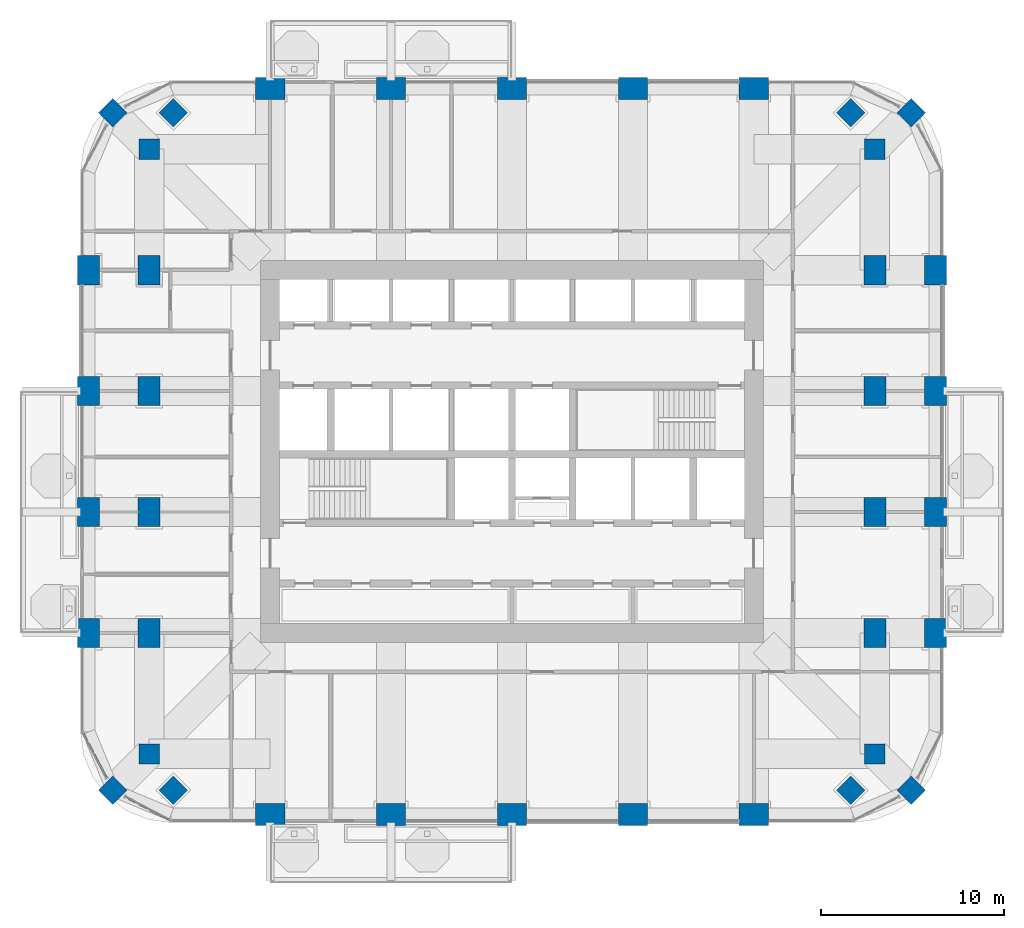
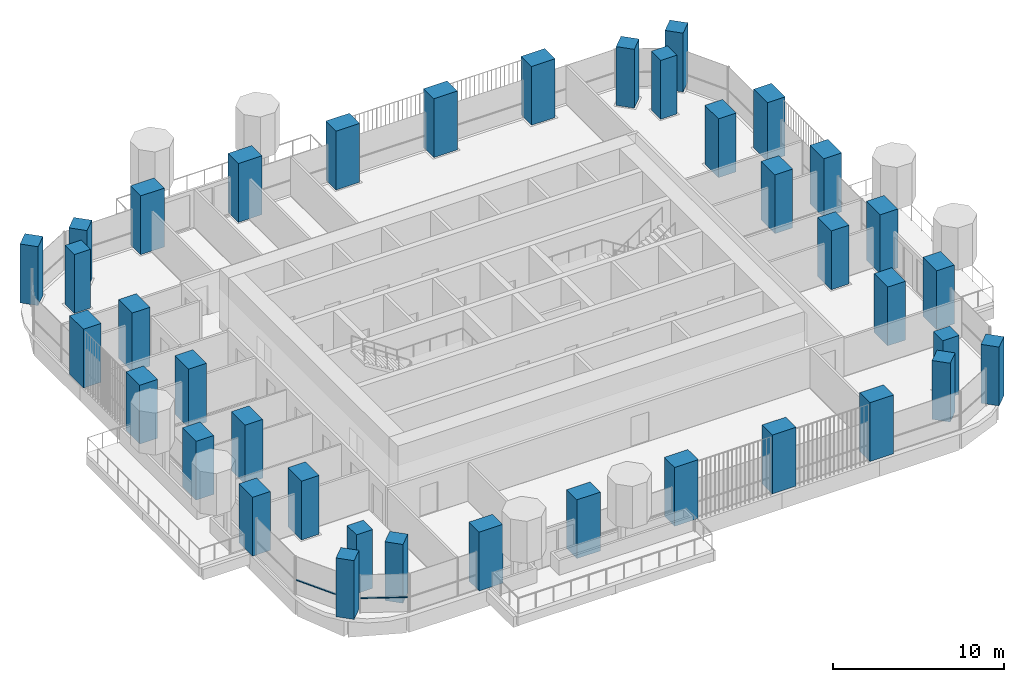
# One storey, part 1 of 20: 38 columns, 2 members, 2 elements without a shape of their own.
"""IFC4 building model written with IfcOpenShell, lengths in metres."""

import ifcopenshell
import ifcopenshell.guid

model = None  # the IFC model being written
_history = None  # IfcOwnerHistory: only IFC2X3 demands one
_inside = {}  # id of a spatial element -> (the spatial element, [elements in it])
_under = {}  # id of a project, library or spatial element -> (it, [spatial elements below it])
_declared = {}  # id of a project -> (the project, [libraries it declares])
_typed = {}  # id of a type object -> (the type object, [elements of that type])
_made_of = {}  # id of a material, layer set ... -> (it, [elements and type objects made of it])


def new_model(schema):
    """Start an empty IFC model of exactly this schema.

    Asked for "IFC4X3", IfcOpenShell would pick the latest addendum, in which some entities
    have other attributes; the version numbers below select the first issue.
    IFC2X3 requires an IfcOwnerHistory on every rooted entity: one is made here for all.
    """
    global model, _history
    if schema == "IFC4X3":
        model = ifcopenshell.file(schema_version=(4, 3, 0, 0))
    else:
        model = ifcopenshell.file(schema=schema)
    _inside.clear()
    _under.clear()
    _declared.clear()
    _typed.clear()
    _made_of.clear()
    _history = None
    if model.schema == "IFC2X3":
        org = make("IfcOrganization", Name="unknown")
        user = make(
            "IfcPersonAndOrganization",
            ThePerson=make("IfcPerson", FamilyName="unknown"),
            TheOrganization=org,
        )
        app = make(
            "IfcApplication",
            ApplicationDeveloper=org,
            Version="unknown",
            ApplicationFullName="unknown",
            ApplicationIdentifier="unknown",
        )
        _history = make(
            "IfcOwnerHistory",
            OwningUser=user,
            OwningApplication=app,
            ChangeAction="ADDED",
            CreationDate=0,
        )
    return model


def make(cls, **values):
    """One entity of the class cls with the attributes given. An attribute that is None is left unset."""
    return model.create_entity(
        cls, **{name: value for name, value in values.items() if value is not None}
    )


def rooted(cls, **values):
    """An entity with a GlobalId (a new one), such as an element, a storey or a relation."""
    return make(cls, GlobalId=ifcopenshell.guid.new(), OwnerHistory=_history, **values)


def si_unit(unit_type, name, prefix=None):
    """IfcSIUnit, for example si_unit("LENGTHUNIT", "METRE", prefix="MILLI")."""
    return make("IfcSIUnit", UnitType=unit_type, Prefix=prefix, Name=name)


def assignment(units):
    """IfcUnitAssignment: the units of a project."""
    return None if units is None else make("IfcUnitAssignment", Units=units)


def point(xyz):
    """IfcCartesianPoint."""
    return None if xyz is None else make("IfcCartesianPoint", Coordinates=xyz)


def direction(xyz):
    """IfcDirection."""
    return None if xyz is None else make("IfcDirection", DirectionRatios=xyz)


def frame(location, z_axis=None, x_axis=None):
    """IfcAxis2Placement3D, a coordinate frame: its origin and axes. An axis left out is left unset."""
    return make(
        "IfcAxis2Placement3D",
        Location=point(location),
        Axis=direction(z_axis),
        RefDirection=direction(x_axis),
    )


def frame_2d(location, x_axis=None):
    """IfcAxis2Placement2D, a coordinate frame in the plane: its origin and x axis."""
    return make(
        "IfcAxis2Placement2D", Location=point(location), RefDirection=direction(x_axis)
    )


def origin():
    """The frame at (0, 0, 0) with its axes left unset."""
    return frame((0.0, 0.0, 0.0))


def origin_2d():
    """The frame at (0, 0) in the plane with its x axis left unset."""
    return frame_2d((0.0, 0.0))


def place(relative_to, where):
    """IfcLocalPlacement: puts the frame where relative to a parent placement (None: the world)."""
    return make(
        "IfcLocalPlacement", PlacementRelTo=relative_to, RelativePlacement=where
    )


def context(
    kind, dimensions, precision=None, world=None, true_north=None, identifier=None
):
    """IfcGeometricRepresentationContext, for example the 3D "Model" context."""
    return make(
        "IfcGeometricRepresentationContext",
        ContextIdentifier=identifier,
        ContextType=kind,
        CoordinateSpaceDimension=dimensions,
        Precision=precision,
        WorldCoordinateSystem=world,
        TrueNorth=true_north,
    )


def subcontext(parent, identifier, kind, view, scale=None):
    """IfcGeometricRepresentationSubContext, for example "Body" below "Model"."""
    return make(
        "IfcGeometricRepresentationSubContext",
        ContextIdentifier=identifier,
        ContextType=kind,
        ParentContext=parent,
        TargetScale=scale,
        TargetView=view,
    )


def project(units=None, contexts=None):
    """IfcProject with its units and contexts."""
    return rooted(
        "IfcProject",
        Name="project",
        RepresentationContexts=contexts,
        UnitsInContext=assignment(units),
    )


def spatial(cls, under=None, at=None, **own):
    """A site, building, storey or space (cls), placed at a placement, below another one or the project."""
    s = rooted(cls, ObjectPlacement=at, **own)
    if under is not None:
        _under.setdefault(under.id(), (under, []))[1].append(s)
    return s


def profile(cls, at=None, kind="AREA", **sizes):
    """A parametric profile (cls). Its sizes go by their IFC names, for example OverallWidth=200.0."""
    return make(cls, ProfileType=kind, Position=at, **sizes)


def rectangle(**sizes):
    """IfcRectangleProfileDef."""
    return profile("IfcRectangleProfileDef", **sizes)


def extrude(swept, where, along, depth):
    """IfcExtrudedAreaSolid: the profile swept, set in the frame where, extruded along a direction by depth."""
    return make(
        "IfcExtrudedAreaSolid",
        SweptArea=swept,
        Position=where,
        ExtrudedDirection=direction(along),
        Depth=depth,
    )


def shape(context_of_items, identifier, shape_type, items):
    """IfcShapeRepresentation: the items that make up one representation, for example the "Body"."""
    return make(
        "IfcShapeRepresentation",
        ContextOfItems=context_of_items,
        RepresentationIdentifier=identifier,
        RepresentationType=shape_type,
        Items=items,
    )


def material(Name=None, Category=None):
    """IfcMaterial."""
    return make("IfcMaterial", Name=Name, Category=Category)


def material_profile(
    of_material, cross_section, Name=None, Category=None, Priority=None
):
    """IfcMaterialProfile: a cross section and its material."""
    return make(
        "IfcMaterialProfile",
        Name=Name,
        Material=of_material,
        Profile=cross_section,
        Priority=Priority,
        Category=Category,
    )


def profile_set(profiles, Name=None, composite=None):
    """IfcMaterialProfileSet."""
    return make(
        "IfcMaterialProfileSet",
        Name=Name,
        MaterialProfiles=profiles,
        CompositeProfile=composite,
    )


def made_of(thing, what):
    """Note that an element or type object is made of a material, layer set ...; save() writes the relation."""
    if what is not None:
        _made_of.setdefault(what.id(), (what, []))[1].append(thing)
    return thing


def type_object(cls, material=None, **own):
    """A type object (cls), such as IfcWallType, which elements share."""
    return made_of(rooted(cls, **own), material)


def element(
    cls,
    number,
    at=None,
    inside=None,
    cuts=None,
    type_object=None,
    material=None,
    context=None,
    identifier="Body",
    shape_type=None,
    held_by="IfcProductDefinitionShape",
    body=None,
    shapes=None,
    **own,
):
    """One element of the class cls, such as IfcWall. Its Tag is "e" and its number.

    at: its placement. inside: the storey or other place that contains it. cuts: it is an
    opening in that element (IfcRelVoidsElement). A single representation is given by context,
    identifier, shape_type and body (its items); several are given by shapes. held_by: the class
    of the entity that holds the representations. save() writes the other relations.
    """
    e = rooted(cls, Tag="e%d" % number, ObjectPlacement=at, **own)
    if body is not None:
        shapes = [shape(context, identifier, shape_type, body)]
    if shapes is not None:
        e.Representation = make(held_by, Representations=shapes)
    if inside is not None:
        _inside.setdefault(inside.id(), (inside, []))[1].append(e)
    if cuts is not None:
        rooted(
            "IfcRelVoidsElement", RelatingBuildingElement=cuts, RelatedOpeningElement=e
        )
    if type_object is not None:
        _typed.setdefault(type_object.id(), (type_object, []))[1].append(e)
    return made_of(e, material)


def aggregate(whole, parts):
    """IfcRelAggregates: a whole, such as a stair, and the parts it consists of."""
    return rooted("IfcRelAggregates", RelatingObject=whole, RelatedObjects=parts)


def save(model, path):
    """Write the relations noted so far, then the file.

    IfcRelAggregates (storeys below a building ...), IfcRelContainedInSpatialStructure (elements
    in a storey), IfcRelDefinesByType, IfcRelAssociatesMaterial and IfcRelDeclares: one each for
    every whole, place, type object, material and project.
    """
    for whole, parts in _under.values():
        aggregate(whole, parts)
    for where, things in _inside.values():
        rooted(
            "IfcRelContainedInSpatialStructure",
            RelatedElements=things,
            RelatingStructure=where,
        )
    for kind, things in _typed.values():
        rooted("IfcRelDefinesByType", RelatedObjects=things, RelatingType=kind)
    for what, things in _made_of.values():
        rooted("IfcRelAssociatesMaterial", RelatedObjects=things, RelatingMaterial=what)
    for by, libraries in _declared.values():
        rooted("IfcRelDeclares", RelatingContext=by, RelatedDefinitions=libraries)
    model.write(path)


model = new_model("IFC4")

# Units and contexts
model_context = context("Model", 3, precision=1e-05, world=origin(), true_north=direction((0.0, 1.0)))
body_context = subcontext(model_context, "Body", "Model", "MODEL_VIEW")
ifc_project = project(units=[si_unit("LENGTHUNIT", "METRE"), si_unit("AREAUNIT", "SQUARE_METRE"), si_unit("VOLUMEUNIT", "CUBIC_METRE"), si_unit("PLANEANGLEUNIT", "RADIAN"), si_unit("MASSUNIT", "GRAM", prefix="KILO")], contexts=[model_context])

# Site, building, storey
site_placement = place(None, origin())
site = spatial("IfcSite", under=ifc_project, at=site_placement, CompositionType="ELEMENT")
building_placement = place(site_placement, origin())
building = spatial("IfcBuilding", under=site, at=building_placement, Name="Cobogo Forest Laboratory Tower", CompositionType="ELEMENT")
storey_placement = place(building_placement, frame((0.0, 0.0, 201.89990234375)))
storey = spatial("IfcBuildingStorey", under=building, at=storey_placement, Name="L46", CompositionType="ELEMENT", Elevation=201.89990234375)

# Columns
ifc_material_1 = material(Name="Concrete HA-50 (C50/60)", Category="concrete")
ifc_material_profile_1 = material_profile(ifc_material_1, rectangle(XDim=1.60009765625, YDim=1.199951171875, at=origin_2d()), Name="RC 1200x1600")
ifc_profile_set_1 = profile_set([ifc_material_profile_1], Name="Concrete HA-50 (C50/60)")
column_type_1 = type_object("IfcColumnType", Name="Blade column 1200x1600", PredefinedType="COLUMN", material=ifc_profile_set_1)
for number, where, z_axis, x_axis, name in (
    (1, (13.199951171875, 3.300048828125, 0.0), (0.0, 0.0, 1.0), (1.0, 0.0, 0.0), "Column 3-A.1 L46"),
    (2, (19.800048828125, 3.300048828125, 0.0), (0.0, 0.0, 1.0), (1.0, 0.0, 0.0), "Column 4-A.1 L46"),
    (3, (26.39990234375, 3.300048828125, 0.0), (0.0, 0.0, 1.0), (1.0, 0.0, 0.0), "Column 5-A.1 L46"),
    (4, (33.0, 3.300048828125, 0.0), (0.0, 0.0, 1.0), (1.0, 0.0, 0.0), "Column 6-A.1 L46"),
    (5, (39.60009765625, 3.300048828125, 0.0), (0.0, 0.0, 1.0), (1.0, 0.0, 0.0), "Column 7-A.1 L46"),
    (6, (3.300048828125, 13.199951171875, 0.0), (0.0, 0.0, 1.0), (0.0, 1.0, 0.0), "Column 1.1-C L46"),
    (7, (49.5, 13.199951171875, 0.0), (0.0, 0.0, 1.0), (0.0, 1.0, 0.0), "Column 8.1-C L46"),
    (8, (3.300048828125, 19.800048828125, 0.0), (0.0, 0.0, 1.0), (0.0, 1.0, 0.0), "Column 1.1-D L46"),
    (9, (49.5, 19.800048828125, 0.0), (0.0, 0.0, 1.0), (0.0, 1.0, 0.0), "Column 8.1-D L46"),
    (10, (3.300048828125, 26.39990234375, 0.0), (0.0, 0.0, 1.0), (0.0, 1.0, 0.0), "Column 1.1-E L46"),
    (11, (49.5, 26.39990234375, 0.0), (0.0, 0.0, 1.0), (0.0, 1.0, 0.0), "Column 8.1-E L46"),
    (12, (3.300048828125, 33.0, 0.0), (0.0, 0.0, 1.0), (0.0, 1.0, 0.0), "Column 1.1-F L46"),
    (13, (49.5, 33.0, 0.0), (0.0, 0.0, 1.0), (0.0, 1.0, 0.0), "Column 8.1-F L46"),
    (14, (13.199951171875, 42.89990234375, 0.0), (0.0, 0.0, 1.0), (1.0, 0.0, 0.0), "Column 3-G.1 L46"),
    (15, (19.800048828125, 42.89990234375, 0.0), (0.0, 0.0, 1.0), (1.0, 0.0, 0.0), "Column 4-G.1 L46"),
    (16, (26.39990234375, 42.89990234375, 0.0), (0.0, 0.0, 1.0), (1.0, 0.0, 0.0), "Column 5-G.1 L46"),
    (17, (33.0, 42.89990234375, 0.0), (0.0, 0.0, 1.0), (1.0, 0.0, 0.0), "Column 6-G.1 L46"),
    (18, (39.60009765625, 42.89990234375, 0.0), (0.0, 0.0, 1.0), (1.0, 0.0, 0.0), "Column 7-G.1 L46"),
    (19, (6.60009765625, 13.199951171875, 0.0), (0.0, 0.0, 1.0), (0.0, 1.0, 0.0), "Column 2-C-D L46"),
    (20, (46.199951171875, 13.199951171875, 0.0), (0.0, 0.0, 1.0), (0.0, 1.0, 0.0), "Column 8-C-D L46"),
    (21, (6.60009765625, 19.800048828125, 0.0), (0.0, 0.0, 1.0), (0.0, 1.0, 0.0), "Column 2-D-D L46"),
    (22, (46.199951171875, 19.800048828125, 0.0), (0.0, 0.0, 1.0), (0.0, 1.0, 0.0), "Column 8-D-D L46"),
    (23, (6.60009765625, 26.39990234375, 0.0), (0.0, 0.0, 1.0), (0.0, 1.0, 0.0), "Column 2-E-D L46"),
    (24, (46.199951171875, 26.39990234375, 0.0), (0.0, 0.0, 1.0), (0.0, 1.0, 0.0), "Column 8-E-D L46"),
    (25, (6.60009765625, 33.0, 0.0), (0.0, 0.0, 1.0), (0.0, 1.0, 0.0), "Column 2-F-D L46"),
    (26, (46.199951171875, 33.0, 0.0), (0.0, 0.0, 1.0), (0.0, 1.0, 0.0), "Column 8-F-D L46"),
):
    element("IfcColumn", number, at=place(storey_placement, frame(where, z_axis=z_axis, x_axis=x_axis)), inside=storey, type_object=column_type_1, Name=name, PredefinedType="COLUMN", context=body_context, shape_type="SweptSolid", body=[
        extrude(rectangle(XDim=1.60009765625, YDim=1.199951171875, at=origin_2d()), origin(), (0.0, 0.0, 1.0), 4.2001953125),
    ])
ifc_material_profile_2 = material_profile(ifc_material_1, rectangle(XDim=1.10009765625, YDim=1.10009765625, at=origin_2d()), Name="RC 1100x1100")
ifc_profile_set_2 = profile_set([ifc_material_profile_2], Name="Concrete HA-50 (C50/60)")
column_type_2 = type_object("IfcColumnType", Name="Column 1100x1100", PredefinedType="COLUMN", material=ifc_profile_set_2)
for number, where, z_axis, x_axis, name in (
    (27, (4.617919921875, 4.617919921875, 0.0), (0.0, 0.0, 1.0), (0.707106781187, 0.707106781187, 0.0), "Column CNR-SW L46"),
    (28, (48.181884765625, 4.617919921875, 0.0), (0.0, 0.0, 1.0), (0.707106781187, 0.707106781187, 0.0), "Column CNR-SE L46"),
    (29, (4.617919921875, 41.58203125, 0.0), (0.0, 0.0, 1.0), (0.707106781187, 0.707106781187, 0.0), "Column CNR-NW L46"),
    (30, (48.181884765625, 41.58203125, 0.0), (0.0, 0.0, 1.0), (0.707106781187, 0.707106781187, 0.0), "Column CNR-NE L46"),
    (31, (6.60009765625, 6.60009765625, 0.0), (0.0, 0.0, 1.0), (1.0, 0.0, 0.0), "Column 2-B L46"),
    (32, (46.199951171875, 6.60009765625, 0.0), (0.0, 0.0, 1.0), (1.0, 0.0, 0.0), "Column 8-B L46"),
    (33, (6.60009765625, 39.60009765625, 0.0), (0.0, 0.0, 1.0), (1.0, 0.0, 0.0), "Column 2-G L46"),
    (34, (46.199951171875, 39.60009765625, 0.0), (0.0, 0.0, 1.0), (1.0, 0.0, 0.0), "Column 8-G L46"),
    (35, (7.91796875, 4.617919921875, 0.0), (0.0, 0.0, 1.0), (0.707106781187, 0.707106781187, 0.0), "Column CNR-SW-D L46"),
    (36, (44.882080078125, 4.617919921875, 0.0), (0.0, 0.0, 1.0), (0.707106781187, 0.707106781187, 0.0), "Column CNR-SE-D L46"),
    (37, (7.91796875, 41.58203125, 0.0), (0.0, 0.0, 1.0), (0.707106781187, 0.707106781187, 0.0), "Column CNR-NW-D L46"),
    (38, (44.882080078125, 41.58203125, 0.0), (0.0, 0.0, 1.0), (0.707106781187, 0.707106781187, 0.0), "Column CNR-NE-D L46"),
):
    element("IfcColumn", number, at=place(storey_placement, frame(where, z_axis=z_axis, x_axis=x_axis)), inside=storey, type_object=column_type_2, Name=name, PredefinedType="COLUMN", context=body_context, shape_type="SweptSolid", body=[
        extrude(rectangle(XDim=1.10009765625, YDim=1.10009765625, at=origin_2d()), origin(), (0.0, 0.0, 1.0), 4.2001953125),
    ])

# Curtain wall, member
ifc_material_2 = material(Name="Aluminium curtain wall", Category="aluminium")
curtain_wall_type = type_object("IfcCurtainWallType", Name="CW-2 unitised curtain wall, solar control glazing, laboratory floors zones C and D", PredefinedType="USERDEFINED", material=ifc_material_2)
curtain_wall_1_placement = place(storey_placement, origin())
curtain_wall_1 = element("IfcCurtainWall", 39, at=curtain_wall_1_placement, inside=storey, type_object=curtain_wall_type, Name="Curtain wall 29 L46", ObjectType="UNITISED CURTAIN WALL", PredefinedType="USERDEFINED")
ifc_material_3 = material(Name="Aluminium transom", Category="aluminium")
ifc_material_profile_3 = material_profile(ifc_material_3, rectangle(XDim=0.1201171875, YDim=0.06005859375, at=origin_2d()), Name="AL 60x120")
ifc_profile_set_3 = profile_set([ifc_material_profile_3], Name="Aluminium transom")
member_type = type_object("IfcMemberType", Name="TR-1 aluminium transom 60x120", PredefinedType="USERDEFINED", material=ifc_profile_set_3)
member_1_placement = place(storey_placement, frame((2.977783203125, 7.746826171875, 1.050048828125), z_axis=(0.464324225592, -0.885665294301, 0.0), x_axis=(0.885665294301, 0.464324225592, 0.0)))
member_1 = element("IfcMember", 40, at=member_1_placement, type_object=member_type, Name="CW-2 transom 1.1", ObjectType="TRANSOM", PredefinedType="USERDEFINED", context=body_context, shape_type="SweptSolid", body=[
    extrude(rectangle(XDim=0.1201171875, YDim=0.06005859375, at=origin_2d()), origin(), (0.0, 0.0, 1.0), 2.760498046875),
])
aggregate(curtain_wall_1, [member_1])

curtain_wall_2_placement = place(storey_placement, origin())
curtain_wall_2 = element("IfcCurtainWall", 41, at=curtain_wall_2_placement, inside=storey, type_object=curtain_wall_type, Name="Curtain wall 30 L46", ObjectType="UNITISED CURTAIN WALL", PredefinedType="USERDEFINED")
member_2_placement = place(storey_placement, frame((5.302001953125, 4.259521484375, 1.050048828125), z_axis=(0.885665294301, -0.464324225592, 0.0), x_axis=(0.464324225592, 0.885665294301, 0.0)))
member_2 = element("IfcMember", 42, at=member_2_placement, type_object=member_type, Name="CW-2 transom 1.1", ObjectType="TRANSOM", PredefinedType="USERDEFINED", context=body_context, shape_type="SweptSolid", body=[
    extrude(rectangle(XDim=0.1201171875, YDim=0.06005859375, at=origin_2d()), origin(), (0.0, 0.0, 1.0), 2.760498046875),
])
aggregate(curtain_wall_2, [member_2])

save(model, "model.ifc")
